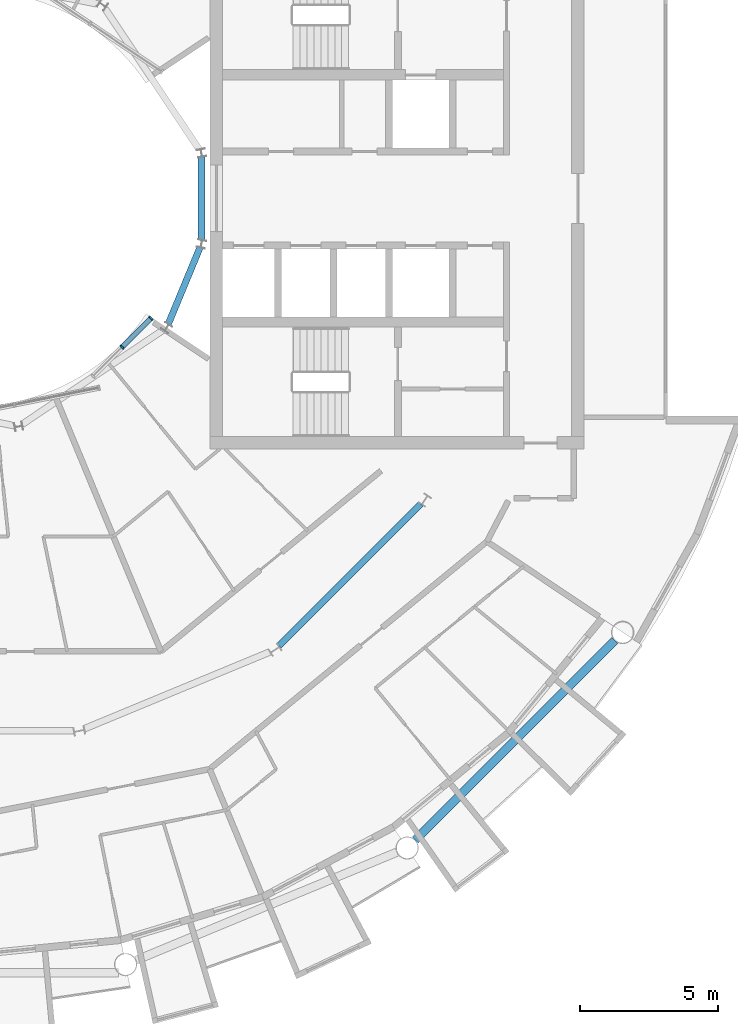
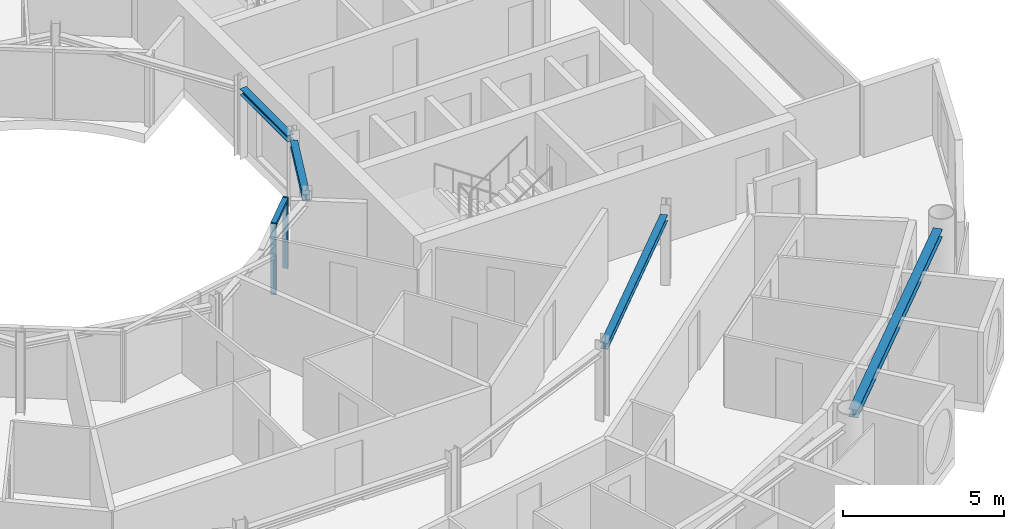
# One storey, part 8 of 27: 4 beams, 3 members, 1 element without a shape of its own.
"""IFC4 building model written with IfcOpenShell, lengths in metres."""

from ifc_helpers import new_model, si_unit, direction, frame, origin, origin_2d, place, context, subcontext, project, spatial, rectangle, i_section, extrude, material, layer, layer_set, material_profile, profile_set, type_object, element, aggregate, save


model = new_model("IFC4")

# Units and contexts
model_context = context("Model", 3, precision=1e-05, world=origin(), true_north=direction((0.0, 1.0)))
body_context = subcontext(model_context, "Body", "Model", "MODEL_VIEW")
ifc_project = project(units=[si_unit("LENGTHUNIT", "METRE"), si_unit("AREAUNIT", "SQUARE_METRE"), si_unit("VOLUMEUNIT", "CUBIC_METRE"), si_unit("PLANEANGLEUNIT", "RADIAN"), si_unit("MASSUNIT", "GRAM", prefix="KILO")], contexts=[model_context])

# Site, building, storey
site_placement = place(None, origin())
site = spatial("IfcSite", under=ifc_project, at=site_placement, CompositionType="ELEMENT")
building_placement = place(site_placement, origin())
building = spatial("IfcBuilding", under=site, at=building_placement, Name="Maasbend Ring Residences", CompositionType="ELEMENT")
storey_placement = place(building_placement, frame((0.0, 0.0, 199.35009765625)))
storey = spatial("IfcBuildingStorey", under=building, at=storey_placement, Name="L57", CompositionType="ELEMENT", Elevation=199.35009765625)

# Curtain wall, members
ifc_material_1 = material(Name="Aluminium and clear glass", Category="aluminium")
ifc_layer = layer(ifc_material_1, 0.179931640625)
ifc_layer_set = layer_set([ifc_layer], Name="CW-W")
curtain_wall_type = type_object("IfcCurtainWallType", Name="CW-W", PredefinedType="NOTDEFINED", material=ifc_layer_set)
curtain_wall_placement = place(storey_placement, origin())
curtain_wall = element("IfcCurtainWall", 1, at=curtain_wall_placement, inside=storey, type_object=curtain_wall_type, Name="Well curtain wall S3", PredefinedType="NOTDEFINED")
ifc_material_2 = material(Name="Aluminium 6063-T6", Category="aluminium")
ifc_material_profile_1 = material_profile(ifc_material_2, rectangle(XDim=0.179931640625, YDim=0.06005859375, at=origin_2d()), Name="AL 180x60")
ifc_profile_set_1 = profile_set([ifc_material_profile_1], Name="Aluminium 6063-T6")
member_type_1 = type_object("IfcMemberType", Name="CWM-W", PredefinedType="MULLION", material=ifc_profile_set_1)
member_1_placement = place(storey_placement, frame((5.366943359375, -5.366943359375, 0.0), z_axis=(0.0, 0.0, 1.0), x_axis=(-0.707106781187, 0.707106781187, 0.0)))
member_1 = element("IfcMember", 2, at=member_1_placement, type_object=member_type_1, Name="Mullion well face", PredefinedType="MULLION", context=body_context, shape_type="SweptSolid", body=[
    extrude(rectangle(XDim=0.179931640625, YDim=0.06005859375, at=origin_2d()), origin(), (0.0, 0.0, 1.0), 2.699951171875),
])
member_2_placement = place(storey_placement, frame((6.413330078125, -4.320556640625, 0.0), z_axis=(0.0, 0.0, 1.0), x_axis=(-0.707106781187, 0.707106781187, 0.0)))
member_2 = element("IfcMember", 3, at=member_2_placement, type_object=member_type_1, Name="Mullion well face", PredefinedType="MULLION", context=body_context, shape_type="SweptSolid", body=[
    extrude(rectangle(XDim=0.179931640625, YDim=0.06005859375, at=origin_2d()), origin(), (0.0, 0.0, 1.0), 2.699951171875),
])
ifc_material_3 = material(Name="Aluminium 6063-T6", Category="aluminium")
ifc_material_profile_2 = material_profile(ifc_material_3, rectangle(XDim=0.179931640625, YDim=0.1201171875, at=origin_2d()), Name="AL 180x120")
ifc_profile_set_2 = profile_set([ifc_material_profile_2], Name="Aluminium 6063-T6")
member_type_2 = type_object("IfcMemberType", Name="CWT-W", PredefinedType="USERDEFINED", material=ifc_profile_set_2)
member_3_placement = place(storey_placement, frame((5.38818359375, -5.345703125, 2.639892578125), z_axis=(0.707106781187, 0.707106781187, 0.0), x_axis=(-0.707106781187, 0.707106781187, 0.0)))
member_3 = element("IfcMember", 4, at=member_3_placement, type_object=member_type_2, Name="Transom well face", ObjectType="TRANSOM", PredefinedType="USERDEFINED", context=body_context, shape_type="SweptSolid", body=[
    extrude(rectangle(XDim=0.179931640625, YDim=0.1201171875, at=origin_2d()), origin(), (0.0, 0.0, 1.0), 1.419677734375),
])
aggregate(curtain_wall, [member_1, member_2, member_3])

# Beams
ifc_material_4 = material(Name="Steel S355J2", Category="steel")
ifc_material_profile_3 = material_profile(ifc_material_4, i_section(OverallWidth=0.239990234375, OverallDepth=0.22998046875, WebThickness=0.007568359375, FlangeThickness=0.011962890625, FilletRadius=0.02099609375, at=origin_2d()), Name="HEA 240")
ifc_profile_set_3 = profile_set([ifc_material_profile_3], Name="Steel S355J2")
beam_type_1 = type_object("IfcBeamType", Name="Corridor ring beam HEA 240", PredefinedType="BEAM", material=ifc_profile_set_3)
beam_1_placement = place(storey_placement, frame((11.033447265625, -16.152587890625, 2.5849609375), z_axis=(0.707106781187, 0.707106781187, 0.0), x_axis=(-0.707106781187, 0.707106781187, 0.0)))
element("IfcBeam", 5, at=beam_1_placement, inside=storey, type_object=beam_type_1, Name="Corridor ring beam", PredefinedType="BEAM", context=body_context, shape_type="SweptSolid", body=[
    extrude(i_section(OverallWidth=0.239990234375, OverallDepth=0.22998046875, WebThickness=0.007568359375, FlangeThickness=0.011962890625, FilletRadius=0.02099609375, at=origin_2d()), origin(), (0.0, 0.0, 1.0), 7.239501953125),
])
ifc_material_5 = material(Name="Steel S355J2", Category="steel")
ifc_material_profile_4 = material_profile(ifc_material_5, i_section(OverallWidth=0.300048828125, OverallDepth=0.300048828125, WebThickness=0.010986328125, FlangeThickness=0.01904296875, FilletRadius=0.027099609375, at=origin_2d()), Name="HEB 300")
ifc_profile_set_4 = profile_set([ifc_material_profile_4], Name="Steel S355J2")
beam_type_2 = type_object("IfcBeamType", Name="Spandrel ring beam HEB 300", PredefinedType="SPANDREL", material=ifc_profile_set_4)
beam_2_placement = place(storey_placement, frame((15.95458984375, -23.159912109375, 2.5498046875), z_axis=(0.707106781187, 0.707106781187, 0.0), x_axis=(-0.707106781187, 0.707106781187, 0.0)))
element("IfcBeam", 6, at=beam_2_placement, inside=storey, type_object=beam_type_2, Name="Spandrel ring beam", PredefinedType="SPANDREL", context=body_context, shape_type="SweptSolid", body=[
    extrude(i_section(OverallWidth=0.300048828125, OverallDepth=0.300048828125, WebThickness=0.010986328125, FlangeThickness=0.01904296875, FilletRadius=0.027099609375, at=origin_2d()), origin(), (0.0, 0.0, 1.0), 10.18994140625),
])
ifc_material_6 = material(Name="Steel S355J2", Category="steel")
ifc_material_profile_5 = material_profile(ifc_material_6, i_section(OverallWidth=0.239990234375, OverallDepth=0.22998046875, WebThickness=0.007568359375, FlangeThickness=0.011962890625, FilletRadius=0.02099609375, at=origin_2d()), Name="HEA 240")
ifc_profile_set_5 = profile_set([ifc_material_profile_5], Name="Steel S355J2")
beam_type_3 = type_object("IfcBeamType", Name="Well edge beam HEA 240", PredefinedType="BEAM", material=ifc_profile_set_5)
beam_3_placement = place(storey_placement, frame((7.041015625, -4.5302734375, 2.5849609375), z_axis=(0.382614534057, 0.923908068115, 0.0), x_axis=(-0.923908068115, 0.382614534057, 0.0)))
element("IfcBeam", 7, at=beam_3_placement, inside=storey, type_object=beam_type_3, Name="Well edge beam", PredefinedType="BEAM", context=body_context, shape_type="SweptSolid", body=[
    extrude(i_section(OverallWidth=0.239990234375, OverallDepth=0.22998046875, WebThickness=0.007568359375, FlangeThickness=0.011962890625, FilletRadius=0.02099609375, at=origin_2d()), origin(), (0.0, 0.0, 1.0), 2.981689453125),
])
beam_4_placement = place(storey_placement, frame((8.238525390625, -1.490966796875, 2.5849609375), z_axis=(0.0, 1.0, 0.0), x_axis=(-1.0, 0.0, 0.0)))
element("IfcBeam", 8, at=beam_4_placement, inside=storey, type_object=beam_type_3, Name="Well edge beam", PredefinedType="BEAM", context=body_context, shape_type="SweptSolid", body=[
    extrude(i_section(OverallWidth=0.239990234375, OverallDepth=0.22998046875, WebThickness=0.007568359375, FlangeThickness=0.011962890625, FilletRadius=0.02099609375, at=origin_2d()), origin(), (0.0, 0.0, 1.0), 2.98193359375),
])

save(model, "model.ifc")
